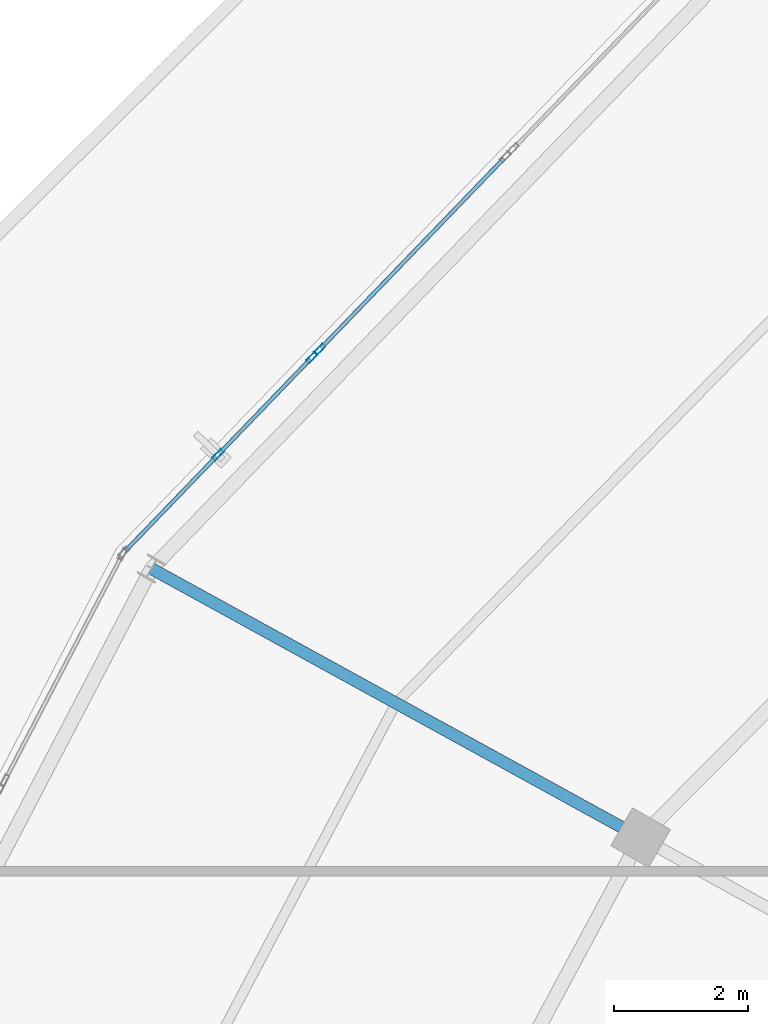
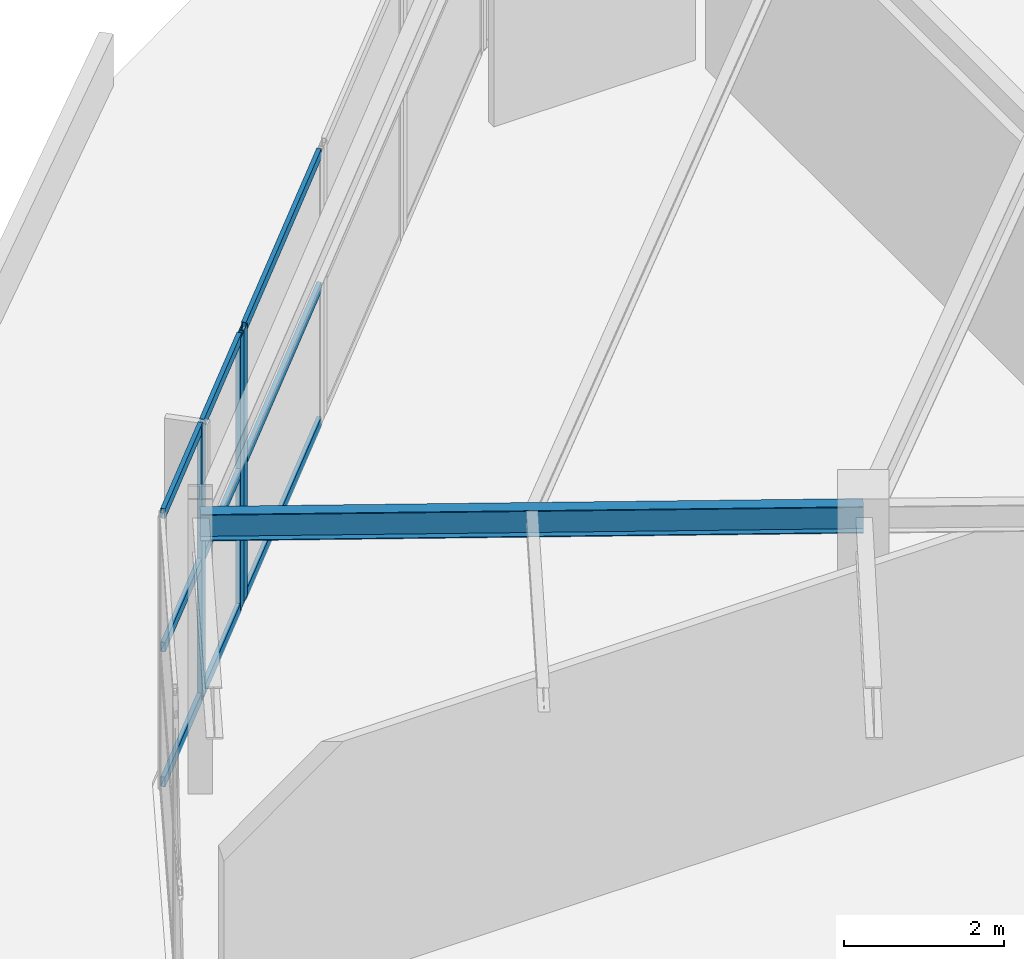
# One storey, part 57 of 126: 12 members, 1 beam, 2 elements without a shape of their own.
"""IFC4 building model written with IfcOpenShell, lengths in metres."""

from ifc_helpers import new_model, si_unit, direction, frame, origin, origin_2d, place, context, subcontext, project, spatial, hollow_rectangle, i_section, extrude, material, layer, layer_set, material_profile, profile_set, type_object, element, aggregate, save


model = new_model("IFC4")

# Units and contexts
model_context = context("Model", 3, precision=1e-05, world=origin(), true_north=direction((0.0, 1.0)))
body_context = subcontext(model_context, "Body", "Model", "MODEL_VIEW")
ifc_project = project(units=[si_unit("LENGTHUNIT", "METRE"), si_unit("AREAUNIT", "SQUARE_METRE"), si_unit("VOLUMEUNIT", "CUBIC_METRE"), si_unit("PLANEANGLEUNIT", "RADIAN"), si_unit("MASSUNIT", "GRAM", prefix="KILO")], contexts=[model_context])

# Site, building, storey
site_placement = place(None, origin())
site = spatial("IfcSite", under=ifc_project, at=site_placement, CompositionType="ELEMENT")
building_placement = place(site_placement, origin())
building = spatial("IfcBuilding", under=site, at=building_placement, Name="Kalgoora Escarpment Arena", CompositionType="ELEMENT")
storey_placement = place(building_placement, frame((0.0, 0.0, 18.89990234375)))
storey = spatial("IfcBuildingStorey", under=building, at=storey_placement, Name="L04", CompositionType="ELEMENT", Elevation=18.89990234375)

# Beam
ifc_material_1 = material(Name="Structural steel AS/NZS 3679 (300 MPa)", Category="steel")
ifc_material_profile_1 = material_profile(ifc_material_1, i_section(OverallWidth=0.177978515625, OverallDepth=0.406005859375, WebThickness=0.0078125, FlangeThickness=0.0126953125, at=origin_2d()))
ifc_profile_set_1 = profile_set([ifc_material_profile_1], Name="Structural steel AS/NZS 3679 (300 MPa)")
beam_type = type_object("IfcBeamType", Name="BM-GIRDER-410UB59.7", PredefinedType="USERDEFINED", material=ifc_profile_set_1)
beam_placement = place(storey_placement, frame((37.493896484375, 88.5, 4.01708984375), z_axis=(-0.876263093947, 0.481832948424, 0.0), x_axis=(-0.481832948424, -0.876263093947, 0.0)))
element("IfcBeam", 1, at=beam_placement, inside=storey, type_object=beam_type, Name="L04 Radial concourse girder 410UB59.7", ObjectType="GIRDER", PredefinedType="USERDEFINED", context=body_context, shape_type="SweptSolid", body=[
    extrude(i_section(OverallWidth=0.177978515625, OverallDepth=0.406005859375, WebThickness=0.0078125, FlangeThickness=0.0126953125, at=origin_2d()), origin(), (0.0, 0.0, 1.0), 8.301513671875),
])

# Curtain wall, members
ifc_material_2 = material(Name=" Champagne anodised aluminium & double-glazed low-E", Category="aluminium")
ifc_layer_1 = layer(ifc_material_2, 0.157958984375)
ifc_layer_set_1 = layer_set([ifc_layer_1], Name="CW-UNIT-07")
curtain_wall_type_1 = type_object("IfcCurtainWallType", Name="CW-UNIT-07", PredefinedType="NOTDEFINED", material=ifc_layer_set_1)
curtain_wall_1_placement = place(storey_placement, origin())
curtain_wall_1 = element("IfcCurtainWall", 2, at=curtain_wall_1_placement, inside=storey, type_object=curtain_wall_type_1, Name="L04 unitised facade curtain wall 146", PredefinedType="NOTDEFINED")
ifc_material_3 = material(Name="Anodised aluminium 6063-T6", Category="aluminium")
ifc_material_profile_2 = material_profile(ifc_material_3, hollow_rectangle(XDim=0.06494140625, YDim=0.179931640625, WallThickness=0.00390625, at=origin_2d()))
ifc_profile_set_2 = profile_set([ifc_material_profile_2], Name="Anodised aluminium 6063-T6")
member_type_1 = type_object("IfcMemberType", Name="MEM-CW-MULL-180", PredefinedType="MULLION", material=ifc_profile_set_2)
member_1_placement = place(storey_placement, frame((31.20703125, 94.18994140625, 0.02001953125), z_axis=(0.0, 0.0, 1.0), x_axis=(-0.719779772297, 0.69420247723, 0.0)))
member_1 = element("IfcMember", 3, at=member_1_placement, type_object=member_type_1, Name="CW-07 mullion 2", PredefinedType="MULLION", context=body_context, shape_type="SweptSolid", body=[
    extrude(hollow_rectangle(XDim=0.06494140625, YDim=0.179931640625, WallThickness=0.00390625, at=origin_2d()), origin(), (0.0, 0.0, 1.0), 4.16015625),
])
member_2_placement = place(storey_placement, frame((32.605224609375, 95.6396484375, 0.02001953125), z_axis=(0.0, 0.0, 1.0), x_axis=(-0.719779772297, 0.69420247723, 0.0)))
member_2 = element("IfcMember", 4, at=member_2_placement, type_object=member_type_1, Name="CW-07 mullion 3", PredefinedType="MULLION", context=body_context, shape_type="SweptSolid", body=[
    extrude(hollow_rectangle(XDim=0.06494140625, YDim=0.179931640625, WallThickness=0.00390625, at=origin_2d()), origin(), (0.0, 0.0, 1.0), 4.16015625),
])

# Curtain wall, member
ifc_material_4 = material(Name=" Champagne anodised aluminium & double-glazed low-E", Category="aluminium")
ifc_layer_2 = layer(ifc_material_4, 0.162109375)
ifc_layer_set_2 = layer_set([ifc_layer_2], Name="CW-UNIT-08")
curtain_wall_type_2 = type_object("IfcCurtainWallType", Name="CW-UNIT-08", PredefinedType="NOTDEFINED", material=ifc_layer_set_2)
curtain_wall_2_placement = place(storey_placement, origin())
curtain_wall_2 = element("IfcCurtainWall", 5, at=curtain_wall_2_placement, inside=storey, type_object=curtain_wall_type_2, Name="L04 unitised facade curtain wall 147", PredefinedType="NOTDEFINED")
member_3_placement = place(storey_placement, frame((32.719970703125, 95.75830078125, 0.02001953125), z_axis=(0.0, 0.0, 1.0), x_axis=(-0.719777208849, 0.694205135116, 0.0)))
member_3 = element("IfcMember", 6, at=member_3_placement, type_object=member_type_1, Name="CW-08 mullion 1", PredefinedType="MULLION", context=body_context, shape_type="SweptSolid", body=[
    extrude(hollow_rectangle(XDim=0.06494140625, YDim=0.179931640625, WallThickness=0.00390625, at=origin_2d()), origin(), (0.0, 0.0, 1.0), 4.16015625),
])

# Member
ifc_material_5 = material(Name="Anodised aluminium 6063-T6", Category="aluminium")
ifc_material_profile_3 = material_profile(ifc_material_5, hollow_rectangle(XDim=0.06005859375, YDim=0.14990234375, WallThickness=0.00341796875, at=origin_2d()))
ifc_profile_set_3 = profile_set([ifc_material_profile_3], Name="Anodised aluminium 6063-T6")
member_type_2 = type_object("IfcMemberType", Name="MEM-CW-TRAN-150", PredefinedType="USERDEFINED", material=ifc_profile_set_3)
member_4_placement = place(storey_placement, frame((29.831298828125, 92.763427734375, 0.050048828125), z_axis=(0.694216687928, 0.719766066304, 0.0), x_axis=(-0.719766066304, 0.694216687928, 0.0)))
member_4 = element("IfcMember", 7, at=member_4_placement, type_object=member_type_2, Name="CW-07 transom 1.1", ObjectType="TRANSOM", PredefinedType="USERDEFINED", context=body_context, shape_type="SweptSolid", body=[
    extrude(hollow_rectangle(XDim=0.06005859375, YDim=0.14990234375, WallThickness=0.00341796875, at=origin_2d()), origin(), (0.0, 0.0, 1.0), 1.949462890625),
])

member_5_placement = place(storey_placement, frame((29.831298828125, 92.763427734375, 2.110107421875), z_axis=(0.694216687928, 0.719766066304, 0.0), x_axis=(-0.719766066304, 0.694216687928, 0.0)))
member_5 = element("IfcMember", 8, at=member_5_placement, type_object=member_type_2, Name="CW-07 transom 1.2", ObjectType="TRANSOM", PredefinedType="USERDEFINED", context=body_context, shape_type="SweptSolid", body=[
    extrude(hollow_rectangle(XDim=0.06005859375, YDim=0.14990234375, WallThickness=0.00341796875, at=origin_2d()), origin(), (0.0, 0.0, 1.0), 1.949462890625),
])

member_6_placement = place(storey_placement, frame((29.831298828125, 92.763427734375, 4.150146484375), z_axis=(0.694216687928, 0.719766066304, 0.0), x_axis=(-0.719766066304, 0.694216687928, 0.0)))
member_6 = element("IfcMember", 9, at=member_6_placement, type_object=member_type_2, Name="CW-07 transom 1.3", ObjectType="TRANSOM", PredefinedType="USERDEFINED", context=body_context, shape_type="SweptSolid", body=[
    extrude(hollow_rectangle(XDim=0.06005859375, YDim=0.14990234375, WallThickness=0.00341796875, at=origin_2d()), origin(), (0.0, 0.0, 1.0), 1.949462890625),
])

member_7_placement = place(storey_placement, frame((31.2294921875, 94.21337890625, 0.050048828125), z_axis=(0.694279271093, 0.719705699387, 0.0), x_axis=(-0.719705699387, 0.694279271093, 0.0)))
member_7 = element("IfcMember", 10, at=member_7_placement, type_object=member_type_2, Name="CW-07 transom 2.1", ObjectType="TRANSOM", PredefinedType="USERDEFINED", context=body_context, shape_type="SweptSolid", body=[
    extrude(hollow_rectangle(XDim=0.06005859375, YDim=0.14990234375, WallThickness=0.00341796875, at=origin_2d()), origin(), (0.0, 0.0, 1.0), 1.94921875),
])

member_8_placement = place(storey_placement, frame((31.2294921875, 94.21337890625, 2.110107421875), z_axis=(0.694279271093, 0.719705699387, 0.0), x_axis=(-0.719705699387, 0.694279271093, 0.0)))
member_8 = element("IfcMember", 11, at=member_8_placement, type_object=member_type_2, Name="CW-07 transom 2.2", ObjectType="TRANSOM", PredefinedType="USERDEFINED", context=body_context, shape_type="SweptSolid", body=[
    extrude(hollow_rectangle(XDim=0.06005859375, YDim=0.14990234375, WallThickness=0.00341796875, at=origin_2d()), origin(), (0.0, 0.0, 1.0), 1.94921875),
])

member_9_placement = place(storey_placement, frame((31.2294921875, 94.21337890625, 4.150146484375), z_axis=(0.694279271093, 0.719705699387, 0.0), x_axis=(-0.719705699387, 0.694279271093, 0.0)))
member_9 = element("IfcMember", 12, at=member_9_placement, type_object=member_type_2, Name="CW-07 transom 2.3", ObjectType="TRANSOM", PredefinedType="USERDEFINED", context=body_context, shape_type="SweptSolid", body=[
    extrude(hollow_rectangle(XDim=0.06005859375, YDim=0.14990234375, WallThickness=0.00341796875, at=origin_2d()), origin(), (0.0, 0.0, 1.0), 1.94921875),
])

aggregate(curtain_wall_1, [member_1, member_2, member_4, member_5, member_6, member_7, member_8, member_9])

member_10_placement = place(storey_placement, frame((32.742431640625, 95.78173828125, 0.050048828125), z_axis=(0.694202527693, 0.719779723627, 0.0), x_axis=(-0.719779723627, 0.694202527693, 0.0)))
member_10 = element("IfcMember", 13, at=member_10_placement, type_object=member_type_2, Name="CW-08 transom 1.1", ObjectType="TRANSOM", PredefinedType="USERDEFINED", context=body_context, shape_type="SweptSolid", body=[
    extrude(hollow_rectangle(XDim=0.06005859375, YDim=0.14990234375, WallThickness=0.00341796875, at=origin_2d()), origin(), (0.0, 0.0, 1.0), 3.91357421875),
])

member_11_placement = place(storey_placement, frame((32.742431640625, 95.78173828125, 2.110107421875), z_axis=(0.694202527693, 0.719779723627, 0.0), x_axis=(-0.719779723627, 0.694202527693, 0.0)))
member_11 = element("IfcMember", 14, at=member_11_placement, type_object=member_type_2, Name="CW-08 transom 1.2", ObjectType="TRANSOM", PredefinedType="USERDEFINED", context=body_context, shape_type="SweptSolid", body=[
    extrude(hollow_rectangle(XDim=0.06005859375, YDim=0.14990234375, WallThickness=0.00341796875, at=origin_2d()), origin(), (0.0, 0.0, 1.0), 3.91357421875),
])

member_12_placement = place(storey_placement, frame((32.742431640625, 95.78173828125, 4.150146484375), z_axis=(0.694202527693, 0.719779723627, 0.0), x_axis=(-0.719779723627, 0.694202527693, 0.0)))
member_12 = element("IfcMember", 15, at=member_12_placement, type_object=member_type_2, Name="CW-08 transom 1.3", ObjectType="TRANSOM", PredefinedType="USERDEFINED", context=body_context, shape_type="SweptSolid", body=[
    extrude(hollow_rectangle(XDim=0.06005859375, YDim=0.14990234375, WallThickness=0.00341796875, at=origin_2d()), origin(), (0.0, 0.0, 1.0), 3.91357421875),
])

aggregate(curtain_wall_2, [member_3, member_10, member_11, member_12])

save(model, "model.ifc")
